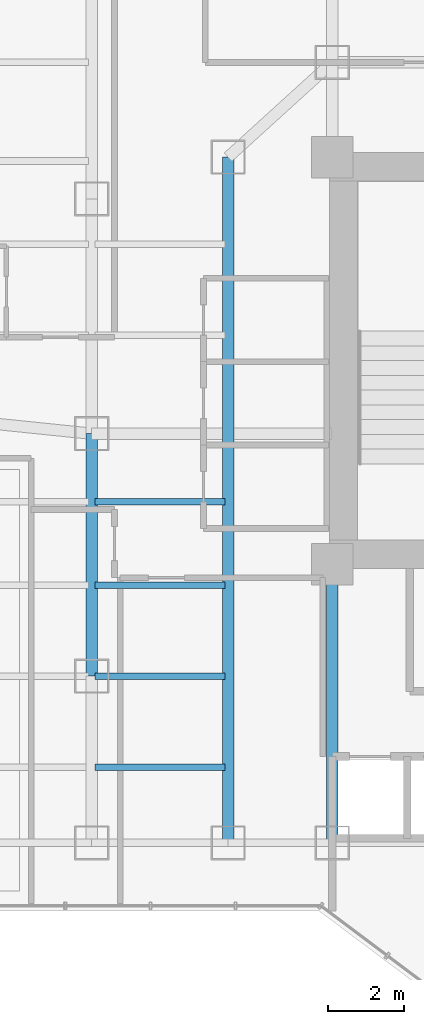
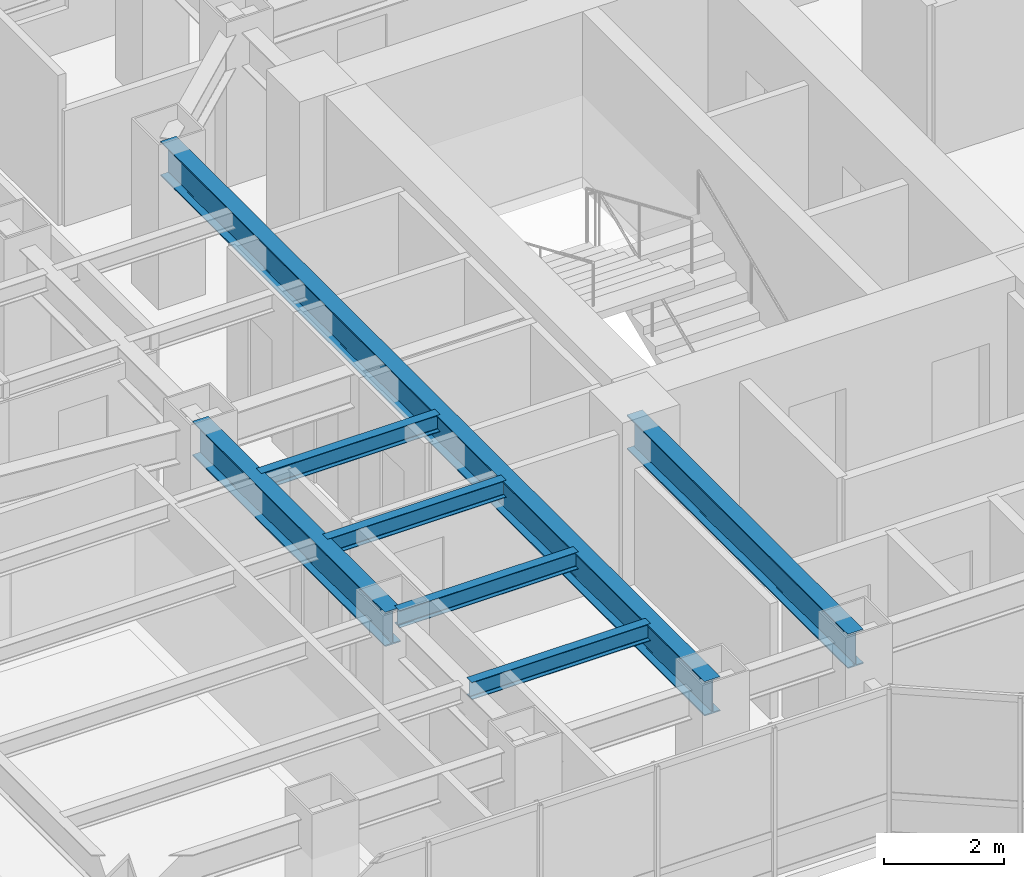
# One storey, part 8 of 36: 7 beams.
"""IFC4 building model written with IfcOpenShell, lengths in metres."""

import ifcopenshell
import ifcopenshell.guid

model = None  # the IFC model being written
_history = None  # IfcOwnerHistory: only IFC2X3 demands one
_inside = {}  # id of a spatial element -> (the spatial element, [elements in it])
_under = {}  # id of a project, library or spatial element -> (it, [spatial elements below it])
_declared = {}  # id of a project -> (the project, [libraries it declares])
_typed = {}  # id of a type object -> (the type object, [elements of that type])
_made_of = {}  # id of a material, layer set ... -> (it, [elements and type objects made of it])


def new_model(schema):
    """Start an empty IFC model of exactly this schema.

    Asked for "IFC4X3", IfcOpenShell would pick the latest addendum, in which some entities
    have other attributes; the version numbers below select the first issue.
    IFC2X3 requires an IfcOwnerHistory on every rooted entity: one is made here for all.
    """
    global model, _history
    if schema == "IFC4X3":
        model = ifcopenshell.file(schema_version=(4, 3, 0, 0))
    else:
        model = ifcopenshell.file(schema=schema)
    _inside.clear()
    _under.clear()
    _declared.clear()
    _typed.clear()
    _made_of.clear()
    _history = None
    if model.schema == "IFC2X3":
        org = make("IfcOrganization", Name="unknown")
        user = make(
            "IfcPersonAndOrganization",
            ThePerson=make("IfcPerson", FamilyName="unknown"),
            TheOrganization=org,
        )
        app = make(
            "IfcApplication",
            ApplicationDeveloper=org,
            Version="unknown",
            ApplicationFullName="unknown",
            ApplicationIdentifier="unknown",
        )
        _history = make(
            "IfcOwnerHistory",
            OwningUser=user,
            OwningApplication=app,
            ChangeAction="ADDED",
            CreationDate=0,
        )
    return model


def make(cls, **values):
    """One entity of the class cls with the attributes given. An attribute that is None is left unset."""
    return model.create_entity(
        cls, **{name: value for name, value in values.items() if value is not None}
    )


def rooted(cls, **values):
    """An entity with a GlobalId (a new one), such as an element, a storey or a relation."""
    return make(cls, GlobalId=ifcopenshell.guid.new(), OwnerHistory=_history, **values)


def si_unit(unit_type, name, prefix=None):
    """IfcSIUnit, for example si_unit("LENGTHUNIT", "METRE", prefix="MILLI")."""
    return make("IfcSIUnit", UnitType=unit_type, Prefix=prefix, Name=name)


def assignment(units):
    """IfcUnitAssignment: the units of a project."""
    return None if units is None else make("IfcUnitAssignment", Units=units)


def point(xyz):
    """IfcCartesianPoint."""
    return None if xyz is None else make("IfcCartesianPoint", Coordinates=xyz)


def direction(xyz):
    """IfcDirection."""
    return None if xyz is None else make("IfcDirection", DirectionRatios=xyz)


def frame(location, z_axis=None, x_axis=None):
    """IfcAxis2Placement3D, a coordinate frame: its origin and axes. An axis left out is left unset."""
    return make(
        "IfcAxis2Placement3D",
        Location=point(location),
        Axis=direction(z_axis),
        RefDirection=direction(x_axis),
    )


def frame_2d(location, x_axis=None):
    """IfcAxis2Placement2D, a coordinate frame in the plane: its origin and x axis."""
    return make(
        "IfcAxis2Placement2D", Location=point(location), RefDirection=direction(x_axis)
    )


def origin():
    """The frame at (0, 0, 0) with its axes left unset."""
    return frame((0.0, 0.0, 0.0))


def origin_2d():
    """The frame at (0, 0) in the plane with its x axis left unset."""
    return frame_2d((0.0, 0.0))


def place(relative_to, where):
    """IfcLocalPlacement: puts the frame where relative to a parent placement (None: the world)."""
    return make(
        "IfcLocalPlacement", PlacementRelTo=relative_to, RelativePlacement=where
    )


def context(
    kind, dimensions, precision=None, world=None, true_north=None, identifier=None
):
    """IfcGeometricRepresentationContext, for example the 3D "Model" context."""
    return make(
        "IfcGeometricRepresentationContext",
        ContextIdentifier=identifier,
        ContextType=kind,
        CoordinateSpaceDimension=dimensions,
        Precision=precision,
        WorldCoordinateSystem=world,
        TrueNorth=true_north,
    )


def subcontext(parent, identifier, kind, view, scale=None):
    """IfcGeometricRepresentationSubContext, for example "Body" below "Model"."""
    return make(
        "IfcGeometricRepresentationSubContext",
        ContextIdentifier=identifier,
        ContextType=kind,
        ParentContext=parent,
        TargetScale=scale,
        TargetView=view,
    )


def project(units=None, contexts=None):
    """IfcProject with its units and contexts."""
    return rooted(
        "IfcProject",
        Name="project",
        RepresentationContexts=contexts,
        UnitsInContext=assignment(units),
    )


def spatial(cls, under=None, at=None, **own):
    """A site, building, storey or space (cls), placed at a placement, below another one or the project."""
    s = rooted(cls, ObjectPlacement=at, **own)
    if under is not None:
        _under.setdefault(under.id(), (under, []))[1].append(s)
    return s


def profile(cls, at=None, kind="AREA", **sizes):
    """A parametric profile (cls). Its sizes go by their IFC names, for example OverallWidth=200.0."""
    return make(cls, ProfileType=kind, Position=at, **sizes)


def i_section(**sizes):
    """IfcIShapeProfileDef."""
    return profile("IfcIShapeProfileDef", **sizes)


def extrude(swept, where, along, depth):
    """IfcExtrudedAreaSolid: the profile swept, set in the frame where, extruded along a direction by depth."""
    return make(
        "IfcExtrudedAreaSolid",
        SweptArea=swept,
        Position=where,
        ExtrudedDirection=direction(along),
        Depth=depth,
    )


def shape(context_of_items, identifier, shape_type, items):
    """IfcShapeRepresentation: the items that make up one representation, for example the "Body"."""
    return make(
        "IfcShapeRepresentation",
        ContextOfItems=context_of_items,
        RepresentationIdentifier=identifier,
        RepresentationType=shape_type,
        Items=items,
    )


def material(Name=None, Category=None):
    """IfcMaterial."""
    return make("IfcMaterial", Name=Name, Category=Category)


def material_profile(
    of_material, cross_section, Name=None, Category=None, Priority=None
):
    """IfcMaterialProfile: a cross section and its material."""
    return make(
        "IfcMaterialProfile",
        Name=Name,
        Material=of_material,
        Profile=cross_section,
        Priority=Priority,
        Category=Category,
    )


def profile_set(profiles, Name=None, composite=None):
    """IfcMaterialProfileSet."""
    return make(
        "IfcMaterialProfileSet",
        Name=Name,
        MaterialProfiles=profiles,
        CompositeProfile=composite,
    )


def made_of(thing, what):
    """Note that an element or type object is made of a material, layer set ...; save() writes the relation."""
    if what is not None:
        _made_of.setdefault(what.id(), (what, []))[1].append(thing)
    return thing


def type_object(cls, material=None, **own):
    """A type object (cls), such as IfcWallType, which elements share."""
    return made_of(rooted(cls, **own), material)


def element(
    cls,
    number,
    at=None,
    inside=None,
    cuts=None,
    type_object=None,
    material=None,
    context=None,
    identifier="Body",
    shape_type=None,
    held_by="IfcProductDefinitionShape",
    body=None,
    shapes=None,
    **own,
):
    """One element of the class cls, such as IfcWall. Its Tag is "e" and its number.

    at: its placement. inside: the storey or other place that contains it. cuts: it is an
    opening in that element (IfcRelVoidsElement). A single representation is given by context,
    identifier, shape_type and body (its items); several are given by shapes. held_by: the class
    of the entity that holds the representations. save() writes the other relations.
    """
    e = rooted(cls, Tag="e%d" % number, ObjectPlacement=at, **own)
    if body is not None:
        shapes = [shape(context, identifier, shape_type, body)]
    if shapes is not None:
        e.Representation = make(held_by, Representations=shapes)
    if inside is not None:
        _inside.setdefault(inside.id(), (inside, []))[1].append(e)
    if cuts is not None:
        rooted(
            "IfcRelVoidsElement", RelatingBuildingElement=cuts, RelatedOpeningElement=e
        )
    if type_object is not None:
        _typed.setdefault(type_object.id(), (type_object, []))[1].append(e)
    return made_of(e, material)


def aggregate(whole, parts):
    """IfcRelAggregates: a whole, such as a stair, and the parts it consists of."""
    return rooted("IfcRelAggregates", RelatingObject=whole, RelatedObjects=parts)


def save(model, path):
    """Write the relations noted so far, then the file.

    IfcRelAggregates (storeys below a building ...), IfcRelContainedInSpatialStructure (elements
    in a storey), IfcRelDefinesByType, IfcRelAssociatesMaterial and IfcRelDeclares: one each for
    every whole, place, type object, material and project.
    """
    for whole, parts in _under.values():
        aggregate(whole, parts)
    for where, things in _inside.values():
        rooted(
            "IfcRelContainedInSpatialStructure",
            RelatedElements=things,
            RelatingStructure=where,
        )
    for kind, things in _typed.values():
        rooted("IfcRelDefinesByType", RelatedObjects=things, RelatingType=kind)
    for what, things in _made_of.values():
        rooted("IfcRelAssociatesMaterial", RelatedObjects=things, RelatingMaterial=what)
    for by, libraries in _declared.values():
        rooted("IfcRelDeclares", RelatingContext=by, RelatedDefinitions=libraries)
    model.write(path)


model = new_model("IFC4")

# Units and contexts
model_context = context("Model", 3, precision=1e-05, world=origin(), true_north=direction((0.0, 1.0)))
body_context = subcontext(model_context, "Body", "Model", "MODEL_VIEW")
ifc_project = project(units=[si_unit("LENGTHUNIT", "METRE"), si_unit("AREAUNIT", "SQUARE_METRE"), si_unit("VOLUMEUNIT", "CUBIC_METRE"), si_unit("PLANEANGLEUNIT", "RADIAN"), si_unit("MASSUNIT", "GRAM", prefix="KILO")], contexts=[model_context])

# Site, building, storey
site_placement = place(None, origin())
site = spatial("IfcSite", under=ifc_project, at=site_placement, CompositionType="ELEMENT")
building_placement = place(site_placement, origin())
building = spatial("IfcBuilding", under=site, at=building_placement, Name="Hatsunagi Terrace Concourse", CompositionType="ELEMENT")
storey_placement = place(building_placement, frame((0.0, 0.0, 88.0)))
storey = spatial("IfcBuildingStorey", under=building, at=storey_placement, Name="L23", CompositionType="ELEMENT", Elevation=88.0)

# Beams
ifc_material_1 = material(Name="Steel SN490B", Category="steel")
ifc_material_profile_1 = material_profile(ifc_material_1, i_section(OverallWidth=0.300048828125, OverallDepth=0.699951171875, WebThickness=0.012939453125, FlangeThickness=0.02392578125, FilletRadius=0.02197265625, at=origin_2d()), Name="H-700x300x13x24")
ifc_profile_set_1 = profile_set([ifc_material_profile_1], Name="Steel SN490B")
beam_type_1 = type_object("IfcBeamType", Name="HotelFloorGirder_H_700x300", PredefinedType="BEAM", material=ifc_profile_set_1)
beam_1_placement = place(storey_placement, frame((25.550048828125, 25.199951171875, 2.699951171875), z_axis=(0.0, 1.0, 0.0), x_axis=(-1.0, 0.0, 0.0)))
element("IfcBeam", 1, at=beam_1_placement, inside=storey, type_object=beam_type_1, Name="Beam G-04 BM-L23-K1CA", PredefinedType="BEAM", context=body_context, shape_type="SweptSolid", body=[
    extrude(i_section(OverallWidth=0.300048828125, OverallDepth=0.699951171875, WebThickness=0.012939453125, FlangeThickness=0.02392578125, FilletRadius=0.02197265625, at=origin_2d()), origin(), (0.0, 0.0, 1.0), 7.35009765625),
])
beam_2_placement = place(storey_placement, frame((22.800048828125, 25.199951171875, 2.699951171875), z_axis=(0.0, 1.0, 0.0), x_axis=(-1.0, 0.0, 0.0)))
element("IfcBeam", 2, at=beam_2_placement, inside=storey, type_object=beam_type_1, Name="Beam G-04 BM-L23-CWNS", PredefinedType="BEAM", context=body_context, shape_type="SweptSolid", body=[
    extrude(i_section(OverallWidth=0.300048828125, OverallDepth=0.699951171875, WebThickness=0.012939453125, FlangeThickness=0.02392578125, FilletRadius=0.02197265625, at=origin_2d()), origin(), (0.0, 0.0, 1.0), 18.10009765625),
])
beam_3_placement = place(storey_placement, frame((19.199951171875, 29.60009765625, 2.699951171875), z_axis=(0.0, 1.0, 0.0), x_axis=(-1.0, 0.0, 0.0)))
element("IfcBeam", 3, at=beam_3_placement, inside=storey, type_object=beam_type_1, Name="Beam G-04 BM-L23-NS-19-29", PredefinedType="BEAM", context=body_context, shape_type="SweptSolid", body=[
    extrude(i_section(OverallWidth=0.300048828125, OverallDepth=0.699951171875, WebThickness=0.012939453125, FlangeThickness=0.02392578125, FilletRadius=0.02197265625, at=origin_2d()), origin(), (0.0, 0.0, 1.0), 6.39990234375),
])
ifc_material_2 = material(Name="Steel SN490B", Category="steel")
ifc_material_profile_2 = material_profile(ifc_material_2, i_section(OverallWidth=0.175048828125, OverallDepth=0.35009765625, WebThickness=0.007080078125, FlangeThickness=0.010986328125, FilletRadius=0.012939453125, at=origin_2d()), Name="H-350x175x7x11")
ifc_profile_set_2 = profile_set([ifc_material_profile_2], Name="Steel SN490B")
beam_type_2 = type_object("IfcBeamType", Name="HotelJoist_H_350x175", PredefinedType="JOIST", material=ifc_profile_set_2)
for number, where, z_axis, x_axis, name in (
    (4, (19.284912109375, 27.199951171875, 2.875), (1.0, 0.0, 0.0), (0.0, 1.0, 0.0), "Beam J-02 J-L23-W-19-272"),
    (5, (19.284912109375, 29.60009765625, 2.875), (1.0, 0.0, 0.0), (0.0, 1.0, 0.0), "Beam J-02 J-L23-W-19-296"),
    (6, (19.284912109375, 32.0, 2.875), (1.0, 0.0, 0.0), (0.0, 1.0, 0.0), "Beam J-02 J-L23-W-19-320"),
    (7, (19.284912109375, 34.199951171875, 2.875), (1.0, 0.0, 0.0), (0.0, 1.0, 0.0), "Beam J-02 J-L23-W-19-342"),
):
    element("IfcBeam", number, at=place(storey_placement, frame(where, z_axis=z_axis, x_axis=x_axis)), inside=storey, type_object=beam_type_2, Name=name, PredefinedType="JOIST", context=body_context, shape_type="SweptSolid", body=[
        extrude(i_section(OverallWidth=0.175048828125, OverallDepth=0.35009765625, WebThickness=0.007080078125, FlangeThickness=0.010986328125, FilletRadius=0.012939453125, at=origin_2d()), origin(), (0.0, 0.0, 1.0), 3.43017578125),
    ])

save(model, "model.ifc")
